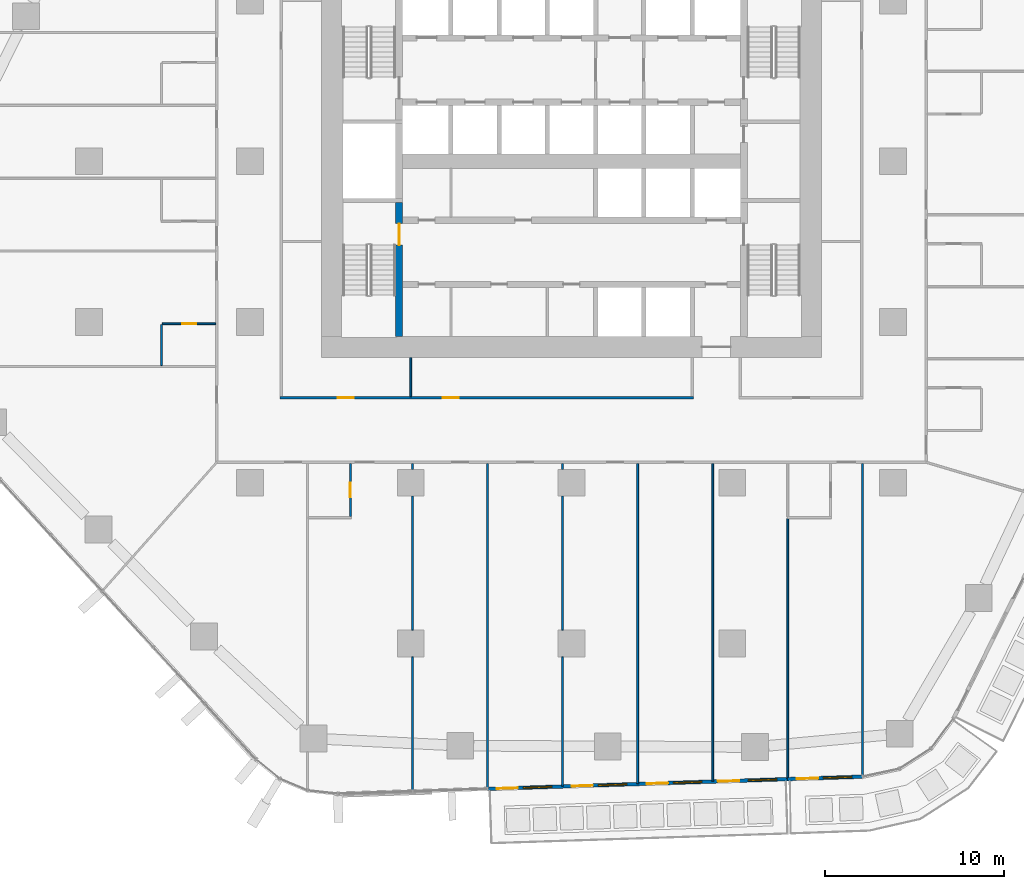
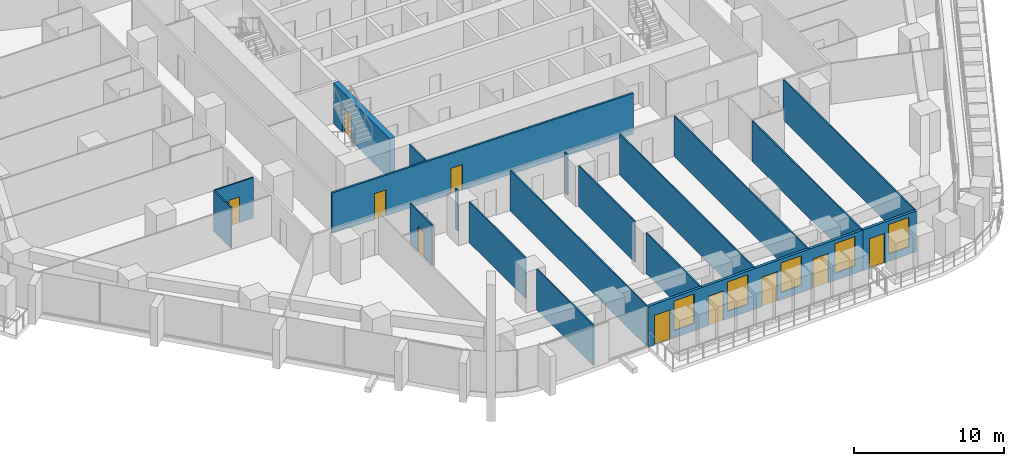
# One storey, part 13 of 27: 19 walls, 10 doors, 5 windows, 15 openings.
"""IFC4 building model written with IfcOpenShell, lengths in metres."""

from ifc_helpers import new_model, si_unit, direction, frame, frame_2d, origin, place, context, subcontext, project, spatial, rectangle, extrude, material, layer, layer_set, type_object, element, fill, save


model = new_model("IFC4")

# Units and contexts
model_context = context("Model", 3, precision=1e-05, world=origin(), true_north=direction((0.0, 1.0)))
body_context = subcontext(model_context, "Body", "Model", "MODEL_VIEW")
ifc_project = project(units=[si_unit("LENGTHUNIT", "METRE"), si_unit("AREAUNIT", "SQUARE_METRE"), si_unit("VOLUMEUNIT", "CUBIC_METRE"), si_unit("PLANEANGLEUNIT", "RADIAN"), si_unit("MASSUNIT", "GRAM", prefix="KILO")], contexts=[model_context])

# Site, building, storey
site_placement = place(None, origin())
site = spatial("IfcSite", under=ifc_project, at=site_placement, CompositionType="ELEMENT")
building_placement = place(site_placement, origin())
building = spatial("IfcBuilding", under=site, at=building_placement, Name="Dongbaek Canopy Tower", CompositionType="ELEMENT")
storey_placement = place(building_placement, frame((0.0, 0.0, 55.10009765625)))
storey = spatial("IfcBuildingStorey", under=building, at=storey_placement, Name="L09", CompositionType="ELEMENT", Elevation=55.10009765625)

# Wall, openings, doors
ifc_material_1 = material(Name="Gypsum board partition, steel stud, 2 x 15 mm fire board", Category="steel")
ifc_layer_1 = layer(ifc_material_1, 0.14990234375)
ifc_layer_set_1 = layer_set([ifc_layer_1], Name="Fire-rated partition 150 gypsum board")
wall_type_1 = type_object("IfcWallType", Name="Fire-rated partition 150 gypsum board", PredefinedType="PARTITIONING", material=ifc_layer_set_1)
wall_1_placement = place(storey_placement, frame((-16.324951171875, -13.25, 0.0), z_axis=(0.0, 0.0, 1.0), x_axis=(1.0, 0.0, 0.0)))
wall_1 = element("IfcWall", 1, at=wall_1_placement, inside=storey, type_object=wall_type_1, Name="Corridor partition", PredefinedType="PARTITIONING", context=body_context, shape_type="SweptSolid", body=[
    extrude(rectangle(XDim=23.14990234375, YDim=0.14990234375, at=frame_2d((11.574951171875, 0.0))), origin(), (0.0, 0.0, 1.0), 3.2998046875),
])
opening_1_placement = place(wall_1_placement, frame((3.25, 0.0, 0.0)))
opening_1 = element("IfcOpeningElement", 2, at=opening_1_placement, cuts=wall_1, Name="Opening L09-D036", PredefinedType="OPENING", context=body_context, shape_type="SweptSolid", body=[
    extrude(rectangle(XDim=0.89990234375, YDim=2.10009765625, at=frame_2d((0.449951171875, 1.050048828125))), frame((0.0, 0.0849609375, 0.0), z_axis=(0.0, -1.0, 0.0), x_axis=(1.0, 0.0, 0.0)), (0.0, 0.0, 1.0), 0.169921875),
])
opening_2_placement = place(wall_1_placement, frame((9.125, 0.0, 0.0)))
opening_2 = element("IfcOpeningElement", 3, at=opening_2_placement, cuts=wall_1, Name="Opening L09-D037", PredefinedType="OPENING", context=body_context, shape_type="SweptSolid", body=[
    extrude(rectangle(XDim=0.89990234375, YDim=2.10009765625, at=frame_2d((0.449951171875, 1.050048828125))), frame((0.0, 0.0849609375, 0.0), z_axis=(0.0, -1.0, 0.0), x_axis=(1.0, 0.0, 0.0)), (0.0, 0.0, 1.0), 0.169921875),
])
ifc_material_2 = material(Name="Timber veneered door leaf", Category="wood")
door_type_1 = type_object("IfcDoorType", Name="Room door 900 x 2100", OperationType="SINGLE_SWING_LEFT", PredefinedType="DOOR", material=ifc_material_2)
door_1_placement = place(opening_1_placement, origin())
door_1 = element("IfcDoor", 4, at=door_1_placement, inside=storey, type_object=door_type_1, Name="Door L09-D036", OperationType="SINGLE_SWING_LEFT", OverallHeight=2.10009765625, OverallWidth=0.89990234375, PredefinedType="DOOR", context=body_context, shape_type="SweptSolid", body=[
    extrude(rectangle(XDim=0.89990234375, YDim=2.10009765625, at=frame_2d((0.449951171875, 1.050048828125))), frame((0.0, 0.02490234375, 0.0), z_axis=(0.0, -1.0, 0.0), x_axis=(1.0, 0.0, 0.0)), (0.0, 0.0, 1.0), 0.050048828125),
])
fill(opening_1, door_1)
door_2_placement = place(opening_2_placement, origin())
door_2 = element("IfcDoor", 5, at=door_2_placement, inside=storey, type_object=door_type_1, Name="Door L09-D037", OperationType="SINGLE_SWING_RIGHT", OverallHeight=2.10009765625, OverallWidth=0.89990234375, PredefinedType="DOOR", context=body_context, shape_type="SweptSolid", body=[
    extrude(rectangle(XDim=0.89990234375, YDim=2.10009765625, at=frame_2d((0.449951171875, 1.050048828125))), frame((0.0, 0.02490234375, 0.0), z_axis=(0.0, -1.0, 0.0), x_axis=(1.0, 0.0, 0.0)), (0.0, 0.0, 1.0), 0.050048828125),
])
fill(opening_2, door_2)

# Wall, opening, door
ifc_material_3 = material(Name="Gypsum board partition, steel stud, 2 x 12.5 mm board", Category="steel")
ifc_layer_2 = layer(ifc_material_3, 0.10009765625)
ifc_layer_set_2 = layer_set([ifc_layer_2], Name="Partition 100 gypsum board")
wall_type_2 = type_object("IfcWallType", Name="Partition 100 gypsum board", PredefinedType="PARTITIONING", material=ifc_layer_set_2)
wall_2_placement = place(storey_placement, frame((-19.925048828125, -9.097900390625, 0.0), z_axis=(0.0, 0.0, 1.0), x_axis=(-1.0, 0.0, 0.0)))
wall_2 = element("IfcWall", 6, at=wall_2_placement, inside=storey, type_object=wall_type_2, Name="Partition", PredefinedType="PARTITIONING", context=body_context, shape_type="SweptSolid", body=[
    extrude(rectangle(XDim=2.974853515625, YDim=0.10009765625, at=frame_2d((1.4873046875, 0.0))), origin(), (0.0, 0.0, 1.0), 3.2998046875),
])
opening_3_placement = place(wall_2_placement, frame((1.074951171875, 0.0, 0.0)))
opening_3 = element("IfcOpeningElement", 7, at=opening_3_placement, cuts=wall_2, Name="Opening L09-D003", PredefinedType="OPENING", context=body_context, shape_type="SweptSolid", body=[
    extrude(rectangle(XDim=0.800048828125, YDim=2.10009765625, at=frame_2d((0.39990234375, 1.050048828125))), frame((0.0, 0.06005859375, 0.0), z_axis=(0.0, -1.0, 0.0), x_axis=(1.0, 0.0, 0.0)), (0.0, 0.0, 1.0), 0.1201171875),
])
ifc_material_4 = material(Name="Timber veneered door leaf", Category="wood")
door_type_2 = type_object("IfcDoorType", Name="En-suite door 800 x 2100", OperationType="SINGLE_SWING_LEFT", PredefinedType="DOOR", material=ifc_material_4)
door_3_placement = place(opening_3_placement, origin())
door_3 = element("IfcDoor", 8, at=door_3_placement, inside=storey, type_object=door_type_2, Name="Door L09-D003", OperationType="SINGLE_SWING_RIGHT", OverallHeight=2.10009765625, OverallWidth=0.800048828125, PredefinedType="DOOR", context=body_context, shape_type="SweptSolid", body=[
    extrude(rectangle(XDim=0.800048828125, YDim=2.10009765625, at=frame_2d((0.39990234375, 1.050048828125))), frame((0.0, 0.02490234375, 0.0), z_axis=(0.0, -1.0, 0.0), x_axis=(1.0, 0.0, 0.0)), (0.0, 0.0, 1.0), 0.050048828125),
])
fill(opening_3, door_3)

# Walls
wall_3_placement = place(storey_placement, frame((16.2890625, -34.429931640625, 0.0), z_axis=(0.0, 0.0, 1.0), x_axis=(0.0, 1.0, 0.0)))
element("IfcWall", 9, at=wall_3_placement, inside=storey, type_object=wall_type_2, Name="Partition", PredefinedType="PARTITIONING", context=body_context, shape_type="SweptSolid", body=[
    extrude(rectangle(XDim=17.5048828125, YDim=0.10009765625, at=frame_2d((8.75244140625, 0.0))), origin(), (0.0, 0.0, 1.0), 3.2998046875),
])
wall_4_placement = place(storey_placement, frame((12.09912109375, -34.5673828125, 0.0), z_axis=(0.0, 0.0, 1.0), x_axis=(0.0, 1.0, 0.0)))
element("IfcWall", 10, at=wall_4_placement, inside=storey, type_object=wall_type_2, Name="Partition", PredefinedType="PARTITIONING", context=body_context, shape_type="SweptSolid", body=[
    extrude(rectangle(XDim=14.5673828125, YDim=0.10009765625, at=frame_2d((7.28369140625, 0.0))), origin(), (0.0, 0.0, 1.0), 3.2998046875),
])
wall_5_placement = place(storey_placement, frame((7.89990234375, -34.704345703125, 0.0), z_axis=(0.0, 0.0, 1.0), x_axis=(0.0, 1.0, 0.0)))
element("IfcWall", 11, at=wall_5_placement, inside=storey, type_object=wall_type_2, Name="Partition", PredefinedType="PARTITIONING", context=body_context, shape_type="SweptSolid", body=[
    extrude(rectangle(XDim=17.779296875, YDim=0.10009765625, at=frame_2d((8.8896484375, 0.0))), origin(), (0.0, 0.0, 1.0), 3.2998046875),
])
wall_6_placement = place(storey_placement, frame((3.700927734375, -34.841552734375, 0.0), z_axis=(0.0, 0.0, 1.0), x_axis=(0.0, 1.0, 0.0)))
element("IfcWall", 12, at=wall_6_placement, inside=storey, type_object=wall_type_2, Name="Partition", PredefinedType="PARTITIONING", context=body_context, shape_type="SweptSolid", body=[
    extrude(rectangle(XDim=17.91650390625, YDim=0.10009765625, at=frame_2d((8.958251953125, 0.0))), origin(), (0.0, 0.0, 1.0), 3.2998046875),
])
wall_7_placement = place(storey_placement, frame((-0.498046875, -34.978759765625, 0.0), z_axis=(0.0, 0.0, 1.0), x_axis=(0.0, 1.0, 0.0)))
element("IfcWall", 13, at=wall_7_placement, inside=storey, type_object=wall_type_2, Name="Partition", PredefinedType="PARTITIONING", context=body_context, shape_type="SweptSolid", body=[
    extrude(rectangle(XDim=7.228759765625, YDim=0.10009765625, at=frame_2d((3.6142578125, 0.0))), origin(), (0.0, 0.0, 1.0), 3.2998046875),
])
wall_8_placement = place(storey_placement, frame((-0.498046875, -26.25, 0.0), z_axis=(0.0, 0.0, 1.0), x_axis=(0.0, 1.0, 0.0)))
element("IfcWall", 14, at=wall_8_placement, inside=storey, type_object=wall_type_2, Name="Partition", PredefinedType="PARTITIONING", context=body_context, shape_type="SweptSolid", body=[
    extrude(rectangle(XDim=7.5, YDim=0.10009765625, at=frame_2d((3.75, 0.0))), origin(), (0.0, 0.0, 1.0), 3.2998046875),
])
wall_9_placement = place(storey_placement, frame((-0.498046875, -17.25, 0.0), z_axis=(0.0, 0.0, 1.0), x_axis=(0.0, 1.0, 0.0)))
element("IfcWall", 15, at=wall_9_placement, inside=storey, type_object=wall_type_2, Name="Partition", PredefinedType="PARTITIONING", context=body_context, shape_type="SweptSolid", body=[
    extrude(rectangle(XDim=0.324951171875, YDim=0.10009765625, at=frame_2d((0.16259765625, 0.0))), origin(), (0.0, 0.0, 1.0), 3.2998046875),
])
wall_10_placement = place(storey_placement, frame((-4.696044921875, -35.11572265625, 0.0), z_axis=(0.0, 0.0, 1.0), x_axis=(0.0, 1.0, 0.0)))
element("IfcWall", 16, at=wall_10_placement, inside=storey, type_object=wall_type_2, Name="Partition", PredefinedType="PARTITIONING", context=body_context, shape_type="SweptSolid", body=[
    extrude(rectangle(XDim=18.190673828125, YDim=0.10009765625, at=frame_2d((9.09521484375, 0.0))), origin(), (0.0, 0.0, 1.0), 3.2998046875),
])
wall_11_placement = place(storey_placement, frame((-8.89501953125, -35.2529296875, 0.0), z_axis=(0.0, 0.0, 1.0), x_axis=(0.0, 1.0, 0.0)))
element("IfcWall", 17, at=wall_11_placement, inside=storey, type_object=wall_type_2, Name="Partition", PredefinedType="PARTITIONING", context=body_context, shape_type="SweptSolid", body=[
    extrude(rectangle(XDim=7.5029296875, YDim=0.10009765625, at=frame_2d((3.75146484375, 0.0))), origin(), (0.0, 0.0, 1.0), 3.2998046875),
])
wall_12_placement = place(storey_placement, frame((-8.89501953125, -26.25, 0.0), z_axis=(0.0, 0.0, 1.0), x_axis=(0.0, 1.0, 0.0)))
element("IfcWall", 18, at=wall_12_placement, inside=storey, type_object=wall_type_2, Name="Partition", PredefinedType="PARTITIONING", context=body_context, shape_type="SweptSolid", body=[
    extrude(rectangle(XDim=7.5, YDim=0.10009765625, at=frame_2d((3.75, 0.0))), origin(), (0.0, 0.0, 1.0), 3.2998046875),
])
wall_13_placement = place(storey_placement, frame((-8.89501953125, -17.25, 0.0), z_axis=(0.0, 0.0, 1.0), x_axis=(0.0, 1.0, 0.0)))
element("IfcWall", 19, at=wall_13_placement, inside=storey, type_object=wall_type_2, Name="Partition", PredefinedType="PARTITIONING", context=body_context, shape_type="SweptSolid", body=[
    extrude(rectangle(XDim=0.324951171875, YDim=0.10009765625, at=frame_2d((0.16259765625, 0.0))), origin(), (0.0, 0.0, 1.0), 3.2998046875),
])
wall_14_placement = place(storey_placement, frame((-9.0, -13.175048828125, 0.0), z_axis=(0.0, 0.0, 1.0), x_axis=(0.0, 1.0, 0.0)))
element("IfcWall", 20, at=wall_14_placement, inside=storey, type_object=wall_type_2, Name="Partition", PredefinedType="PARTITIONING", context=body_context, shape_type="SweptSolid", body=[
    extrude(rectangle(XDim=2.175048828125, YDim=0.10009765625, at=frame_2d((1.08740234375, 0.0))), origin(), (0.0, 0.0, 1.0), 3.2998046875),
])

# Wall, opening, door
wall_15_placement = place(storey_placement, frame((-12.3740234375, -19.89990234375, 0.0), z_axis=(0.0, 0.0, 1.0), x_axis=(0.0, 1.0, 0.0)))
wall_15 = element("IfcWall", 21, at=wall_15_placement, inside=storey, type_object=wall_type_2, Name="Partition", PredefinedType="PARTITIONING", context=body_context, shape_type="SweptSolid", body=[
    extrude(rectangle(XDim=2.974853515625, YDim=0.10009765625, at=frame_2d((1.4873046875, 0.0))), origin(), (0.0, 0.0, 1.0), 3.2998046875),
])
opening_4_placement = place(wall_15_placement, frame((1.10009765625, 0.0, 0.0)))
opening_4 = element("IfcOpeningElement", 22, at=opening_4_placement, cuts=wall_15, Name="Opening L09-D007", PredefinedType="OPENING", context=body_context, shape_type="SweptSolid", body=[
    extrude(rectangle(XDim=0.800048828125, YDim=2.10009765625, at=frame_2d((0.39990234375, 1.050048828125))), frame((0.0, 0.06005859375, 0.0), z_axis=(0.0, -1.0, 0.0), x_axis=(1.0, 0.0, 0.0)), (0.0, 0.0, 1.0), 0.1201171875),
])
door_4_placement = place(opening_4_placement, origin())
door_4 = element("IfcDoor", 23, at=door_4_placement, inside=storey, type_object=door_type_2, Name="Door L09-D007", OperationType="SINGLE_SWING_LEFT", OverallHeight=2.10009765625, OverallWidth=0.800048828125, PredefinedType="DOOR", context=body_context, shape_type="SweptSolid", body=[
    extrude(rectangle(XDim=0.800048828125, YDim=2.10009765625, at=frame_2d((0.39990234375, 1.050048828125))), frame((0.0, 0.02490234375, 0.0), z_axis=(0.0, -1.0, 0.0), x_axis=(1.0, 0.0, 0.0)), (0.0, 0.0, 1.0), 0.050048828125),
])
fill(opening_4, door_4)

# Wall
wall_16_placement = place(storey_placement, frame((-22.949951171875, -11.447509765625, 0.0), z_axis=(0.0, 0.0, 1.0), x_axis=(0.0, 1.0, 0.0)))
element("IfcWall", 24, at=wall_16_placement, inside=storey, type_object=wall_type_2, Name="Partition", PredefinedType="PARTITIONING", context=body_context, shape_type="SweptSolid", body=[
    extrude(rectangle(XDim=2.2998046875, YDim=0.10009765625, at=frame_2d((1.14990234375, 0.0))), origin(), (0.0, 0.0, 1.0), 3.2998046875),
])

# Wall, opening, door
ifc_material_5 = material(Name="Concrete C60/75", Category="concrete")
ifc_layer_3 = layer(ifc_material_5, 0.39990234375)
ifc_layer_set_3 = layer_set([ifc_layer_3], Name="Stair wall 400 Concrete C60/75")
wall_type_3 = type_object("IfcWallType", Name="Stair wall 400 Concrete C60/75", PredefinedType="SHEAR", material=ifc_layer_set_3)
wall_17_placement = place(storey_placement, frame((-9.64990234375, -9.800048828125, 0.0), z_axis=(0.0, 0.0, 1.0), x_axis=(0.0, 1.0, 0.0)))
wall_17 = element("IfcWall", 25, at=wall_17_placement, inside=storey, type_object=wall_type_3, Name="Stair wall", PredefinedType="SHEAR", context=body_context, shape_type="SweptSolid", body=[
    extrude(rectangle(XDim=7.5, YDim=0.39990234375, at=frame_2d((3.75, 0.0))), origin(), (0.0, 0.0, 1.0), 3.2998046875),
])
opening_5_placement = place(wall_17_placement, frame((5.10009765625, 0.0, 0.0)))
opening_5 = element("IfcOpeningElement", 26, at=opening_5_placement, cuts=wall_17, Name="Opening L09-D071", PredefinedType="OPENING", context=body_context, shape_type="SweptSolid", body=[
    extrude(rectangle(XDim=1.199951171875, YDim=2.10009765625, at=frame_2d((0.60009765625, 1.050048828125))), frame((0.0, 0.2099609375, 0.0), z_axis=(0.0, -1.0, 0.0), x_axis=(1.0, 0.0, 0.0)), (0.0, 0.0, 1.0), 0.419921875),
])
ifc_material_6 = material(Name="Steel", Category="steel")
door_type_3 = type_object("IfcDoorType", Name="Stair door 1200 x 2100", OperationType="SINGLE_SWING_LEFT", PredefinedType="DOOR", material=ifc_material_6)
door_5_placement = place(opening_5_placement, origin())
door_5 = element("IfcDoor", 27, at=door_5_placement, inside=storey, type_object=door_type_3, Name="Stair D door", OperationType="SINGLE_SWING_LEFT", OverallHeight=2.10009765625, OverallWidth=1.199951171875, PredefinedType="DOOR", context=body_context, shape_type="SweptSolid", body=[
    extrude(rectangle(XDim=1.199951171875, YDim=2.10009765625, at=frame_2d((0.60009765625, 1.050048828125))), frame((0.0, 0.02490234375, 0.0), z_axis=(0.0, -1.0, 0.0), x_axis=(1.0, 0.0, 0.0)), (0.0, 0.0, 1.0), 0.050048828125),
])
fill(opening_5, door_5)

# Wall, openings, doors, windows
ifc_material_7 = material(Name="Aluminium window wall", Category="aluminium")
ifc_layer_4 = layer(ifc_material_7, 0.199951171875)
ifc_layer_set_4 = layer_set([ifc_layer_4], Name="Window wall 200")
wall_type_4 = type_object("IfcWallType", Name="Window wall 200", PredefinedType="SOLIDWALL", material=ifc_layer_set_4)
wall_18_placement = place(storey_placement, frame((-4.696533203125, -35.1357421875, 0.0), z_axis=(0.0, 0.0, 1.0), x_axis=(0.999466983916, 0.032645796998, 0.0)))
wall_18 = element("IfcWall", 28, at=wall_18_placement, inside=storey, type_object=wall_type_4, Name="Window wall L09 4", PredefinedType="SOLIDWALL", context=body_context, shape_type="SweptSolid", body=[
    extrude(rectangle(XDim=16.80419921875, YDim=0.199951171875, at=frame_2d((8.402099609375, 0.0))), origin(), (0.0, 0.0, 1.0), 3.2998046875),
])
opening_6_placement = place(wall_18_placement, frame((2.0, 0.0, 0.60009765625)))
opening_6 = element("IfcOpeningElement", 29, at=opening_6_placement, cuts=wall_18, Name="Opening W1", PredefinedType="OPENING", context=body_context, shape_type="SweptSolid", body=[
    extrude(rectangle(XDim=1.60009765625, YDim=2.39990234375, at=frame_2d((0.800048828125, 1.199951171875))), frame((0.0, 0.10986328125, 0.0), z_axis=(0.0, -1.0, 0.0), x_axis=(1.0, 0.0, 0.0)), (0.0, 0.0, 1.0), 0.219970703125),
])
opening_7_placement = place(wall_18_placement, frame((0.5, 0.0, 0.0)))
opening_7 = element("IfcOpeningElement", 30, at=opening_7_placement, cuts=wall_18, Name="Opening L09-B18", PredefinedType="OPENING", context=body_context, shape_type="SweptSolid", body=[
    extrude(rectangle(XDim=1.199951171875, YDim=2.39990234375, at=frame_2d((0.60009765625, 1.199951171875))), frame((0.0, 0.10986328125, 0.0), z_axis=(0.0, -1.0, 0.0), x_axis=(1.0, 0.0, 0.0)), (0.0, 0.0, 1.0), 0.219970703125),
])
opening_8_placement = place(wall_18_placement, frame((6.200927734375, 0.0, 0.60009765625)))
opening_8 = element("IfcOpeningElement", 31, at=opening_8_placement, cuts=wall_18, Name="Opening W1", PredefinedType="OPENING", context=body_context, shape_type="SweptSolid", body=[
    extrude(rectangle(XDim=1.60009765625, YDim=2.39990234375, at=frame_2d((0.800048828125, 1.199951171875))), frame((0.0, 0.10986328125, 0.0), z_axis=(0.0, -1.0, 0.0), x_axis=(1.0, 0.0, 0.0)), (0.0, 0.0, 1.0), 0.219970703125),
])
opening_9_placement = place(wall_18_placement, frame((4.700927734375, 0.0, 0.0)))
opening_9 = element("IfcOpeningElement", 32, at=opening_9_placement, cuts=wall_18, Name="Opening L09-B19", PredefinedType="OPENING", context=body_context, shape_type="SweptSolid", body=[
    extrude(rectangle(XDim=1.199951171875, YDim=2.39990234375, at=frame_2d((0.60009765625, 1.199951171875))), frame((0.0, 0.10986328125, 0.0), z_axis=(0.0, -1.0, 0.0), x_axis=(1.0, 0.0, 0.0)), (0.0, 0.0, 1.0), 0.219970703125),
])
opening_10_placement = place(wall_18_placement, frame((10.402099609375, 0.0, 0.60009765625)))
opening_10 = element("IfcOpeningElement", 33, at=opening_10_placement, cuts=wall_18, Name="Opening W1", PredefinedType="OPENING", context=body_context, shape_type="SweptSolid", body=[
    extrude(rectangle(XDim=1.60009765625, YDim=2.39990234375, at=frame_2d((0.800048828125, 1.199951171875))), frame((0.0, 0.10986328125, 0.0), z_axis=(0.0, -1.0, 0.0), x_axis=(1.0, 0.0, 0.0)), (0.0, 0.0, 1.0), 0.219970703125),
])
opening_11_placement = place(wall_18_placement, frame((8.902099609375, 0.0, 0.0)))
opening_11 = element("IfcOpeningElement", 34, at=opening_11_placement, cuts=wall_18, Name="Opening L09-B20", PredefinedType="OPENING", context=body_context, shape_type="SweptSolid", body=[
    extrude(rectangle(XDim=1.199951171875, YDim=2.39990234375, at=frame_2d((0.60009765625, 1.199951171875))), frame((0.0, 0.10986328125, 0.0), z_axis=(0.0, -1.0, 0.0), x_axis=(1.0, 0.0, 0.0)), (0.0, 0.0, 1.0), 0.219970703125),
])
opening_12_placement = place(wall_18_placement, frame((14.60302734375, 0.0, 0.60009765625)))
opening_12 = element("IfcOpeningElement", 35, at=opening_12_placement, cuts=wall_18, Name="Opening W1", PredefinedType="OPENING", context=body_context, shape_type="SweptSolid", body=[
    extrude(rectangle(XDim=1.60009765625, YDim=2.39990234375, at=frame_2d((0.800048828125, 1.199951171875))), frame((0.0, 0.10986328125, 0.0), z_axis=(0.0, -1.0, 0.0), x_axis=(1.0, 0.0, 0.0)), (0.0, 0.0, 1.0), 0.219970703125),
])
opening_13_placement = place(wall_18_placement, frame((12.903076171875, 0.0, 0.0)))
opening_13 = element("IfcOpeningElement", 36, at=opening_13_placement, cuts=wall_18, Name="Opening L09-B21", PredefinedType="OPENING", context=body_context, shape_type="SweptSolid", body=[
    extrude(rectangle(XDim=1.199951171875, YDim=2.39990234375, at=frame_2d((0.60009765625, 1.199951171875))), frame((0.0, 0.10986328125, 0.0), z_axis=(0.0, -1.0, 0.0), x_axis=(1.0, 0.0, 0.0)), (0.0, 0.0, 1.0), 0.219970703125),
])
ifc_material_8 = material(Name="Clear glazing in aluminium frame", Category="aluminium")
door_type_4 = type_object("IfcDoorType", Name="Balcony door BD1 1200 x 2400", OperationType="SLIDING_TO_LEFT", PredefinedType="DOOR", material=ifc_material_8)
door_6_placement = place(opening_7_placement, origin())
door_6 = element("IfcDoor", 37, at=door_6_placement, inside=storey, type_object=door_type_4, Name="Balcony door L09-B18", OperationType="SLIDING_TO_LEFT", OverallHeight=2.39990234375, OverallWidth=1.199951171875, PredefinedType="DOOR", context=body_context, shape_type="SweptSolid", body=[
    extrude(rectangle(XDim=1.199951171875, YDim=2.39990234375, at=frame_2d((0.60009765625, 1.199951171875))), frame((0.0, 0.02490234375, 0.0), z_axis=(0.0, -1.0, 0.0), x_axis=(1.0, 0.0, 0.0)), (0.0, 0.0, 1.0), 0.050048828125),
])
fill(opening_7, door_6)
door_7_placement = place(opening_9_placement, origin())
door_7 = element("IfcDoor", 38, at=door_7_placement, inside=storey, type_object=door_type_4, Name="Balcony door L09-B19", OperationType="SLIDING_TO_LEFT", OverallHeight=2.39990234375, OverallWidth=1.199951171875, PredefinedType="DOOR", context=body_context, shape_type="SweptSolid", body=[
    extrude(rectangle(XDim=1.199951171875, YDim=2.39990234375, at=frame_2d((0.60009765625, 1.199951171875))), frame((0.0, 0.02490234375, 0.0), z_axis=(0.0, -1.0, 0.0), x_axis=(1.0, 0.0, 0.0)), (0.0, 0.0, 1.0), 0.050048828125),
])
fill(opening_9, door_7)
door_8_placement = place(opening_11_placement, origin())
door_8 = element("IfcDoor", 39, at=door_8_placement, inside=storey, type_object=door_type_4, Name="Balcony door L09-B20", OperationType="SLIDING_TO_LEFT", OverallHeight=2.39990234375, OverallWidth=1.199951171875, PredefinedType="DOOR", context=body_context, shape_type="SweptSolid", body=[
    extrude(rectangle(XDim=1.199951171875, YDim=2.39990234375, at=frame_2d((0.60009765625, 1.199951171875))), frame((0.0, 0.02490234375, 0.0), z_axis=(0.0, -1.0, 0.0), x_axis=(1.0, 0.0, 0.0)), (0.0, 0.0, 1.0), 0.050048828125),
])
fill(opening_11, door_8)
door_9_placement = place(opening_13_placement, origin())
door_9 = element("IfcDoor", 40, at=door_9_placement, inside=storey, type_object=door_type_4, Name="Balcony door L09-B21", OperationType="SLIDING_TO_LEFT", OverallHeight=2.39990234375, OverallWidth=1.199951171875, PredefinedType="DOOR", context=body_context, shape_type="SweptSolid", body=[
    extrude(rectangle(XDim=1.199951171875, YDim=2.39990234375, at=frame_2d((0.60009765625, 1.199951171875))), frame((0.0, 0.02490234375, 0.0), z_axis=(0.0, -1.0, 0.0), x_axis=(1.0, 0.0, 0.0)), (0.0, 0.0, 1.0), 0.050048828125),
])
fill(opening_13, door_9)
ifc_material_9 = material(Name="Clear glazing in aluminium frame", Category="aluminium")
window_type = type_object("IfcWindowType", Name="Window W1 1600 x 2400", PartitioningType="SINGLE_PANEL", PredefinedType="WINDOW", material=ifc_material_9)
window_1_placement = place(opening_6_placement, origin())
window_1 = element("IfcWindow", 41, at=window_1_placement, inside=storey, type_object=window_type, Name="Window L09 4.1", OverallHeight=2.39990234375, OverallWidth=1.60009765625, PartitioningType="SINGLE_PANEL", PredefinedType="WINDOW", context=body_context, shape_type="SweptSolid", body=[
    extrude(rectangle(XDim=1.60009765625, YDim=2.39990234375, at=frame_2d((0.800048828125, 1.199951171875))), frame((0.0, 0.030029296875, 0.0), z_axis=(0.0, -1.0, 0.0), x_axis=(1.0, 0.0, 0.0)), (0.0, 0.0, 1.0), 0.06005859375),
])
fill(opening_6, window_1)
window_2_placement = place(opening_8_placement, origin())
window_2 = element("IfcWindow", 42, at=window_2_placement, inside=storey, type_object=window_type, Name="Window L09 4.2", OverallHeight=2.39990234375, OverallWidth=1.60009765625, PartitioningType="SINGLE_PANEL", PredefinedType="WINDOW", context=body_context, shape_type="SweptSolid", body=[
    extrude(rectangle(XDim=1.60009765625, YDim=2.39990234375, at=frame_2d((0.800048828125, 1.199951171875))), frame((0.0, 0.030029296875, 0.0), z_axis=(0.0, -1.0, 0.0), x_axis=(1.0, 0.0, 0.0)), (0.0, 0.0, 1.0), 0.06005859375),
])
fill(opening_8, window_2)
window_3_placement = place(opening_10_placement, origin())
window_3 = element("IfcWindow", 43, at=window_3_placement, inside=storey, type_object=window_type, Name="Window L09 4.3", OverallHeight=2.39990234375, OverallWidth=1.60009765625, PartitioningType="SINGLE_PANEL", PredefinedType="WINDOW", context=body_context, shape_type="SweptSolid", body=[
    extrude(rectangle(XDim=1.60009765625, YDim=2.39990234375, at=frame_2d((0.800048828125, 1.199951171875))), frame((0.0, 0.030029296875, 0.0), z_axis=(0.0, -1.0, 0.0), x_axis=(1.0, 0.0, 0.0)), (0.0, 0.0, 1.0), 0.06005859375),
])
fill(opening_10, window_3)
window_4_placement = place(opening_12_placement, origin())
window_4 = element("IfcWindow", 44, at=window_4_placement, inside=storey, type_object=window_type, Name="Window L09 4.4", OverallHeight=2.39990234375, OverallWidth=1.60009765625, PartitioningType="SINGLE_PANEL", PredefinedType="WINDOW", context=body_context, shape_type="SweptSolid", body=[
    extrude(rectangle(XDim=1.60009765625, YDim=2.39990234375, at=frame_2d((0.800048828125, 1.199951171875))), frame((0.0, 0.030029296875, 0.0), z_axis=(0.0, -1.0, 0.0), x_axis=(1.0, 0.0, 0.0)), (0.0, 0.0, 1.0), 0.06005859375),
])
fill(opening_12, window_4)

# Wall, openings, door, window
wall_19_placement = place(storey_placement, frame((12.0986328125, -34.587158203125, 0.0), z_axis=(0.0, 0.0, 1.0), x_axis=(0.999468058802, 0.032612872214, 0.0)))
wall_19 = element("IfcWall", 45, at=wall_19_placement, inside=storey, type_object=wall_type_4, Name="Window wall L09 8", PredefinedType="SOLIDWALL", context=body_context, shape_type="SweptSolid", body=[
    extrude(rectangle(XDim=4.192138671875, YDim=0.199951171875, at=frame_2d((2.09619140625, 0.0))), origin(), (0.0, 0.0, 1.0), 3.2998046875),
])
opening_14_placement = place(wall_19_placement, frame((2.0, 0.0, 0.60009765625)))
opening_14 = element("IfcOpeningElement", 46, at=opening_14_placement, cuts=wall_19, Name="Opening W1", PredefinedType="OPENING", context=body_context, shape_type="SweptSolid", body=[
    extrude(rectangle(XDim=1.60009765625, YDim=2.39990234375, at=frame_2d((0.800048828125, 1.199951171875))), frame((0.0, 0.10986328125, 0.0), z_axis=(0.0, -1.0, 0.0), x_axis=(1.0, 0.0, 0.0)), (0.0, 0.0, 1.0), 0.219970703125),
])
opening_15_placement = place(wall_19_placement, frame((0.5, 0.0, 0.0)))
opening_15 = element("IfcOpeningElement", 47, at=opening_15_placement, cuts=wall_19, Name="Opening L09-B22", PredefinedType="OPENING", context=body_context, shape_type="SweptSolid", body=[
    extrude(rectangle(XDim=1.199951171875, YDim=2.39990234375, at=frame_2d((0.60009765625, 1.199951171875))), frame((0.0, 0.10986328125, 0.0), z_axis=(0.0, -1.0, 0.0), x_axis=(1.0, 0.0, 0.0)), (0.0, 0.0, 1.0), 0.219970703125),
])
door_10_placement = place(opening_15_placement, origin())
door_10 = element("IfcDoor", 48, at=door_10_placement, inside=storey, type_object=door_type_4, Name="Balcony door L09-B22", OperationType="SLIDING_TO_LEFT", OverallHeight=2.39990234375, OverallWidth=1.199951171875, PredefinedType="DOOR", context=body_context, shape_type="SweptSolid", body=[
    extrude(rectangle(XDim=1.199951171875, YDim=2.39990234375, at=frame_2d((0.60009765625, 1.199951171875))), frame((0.0, 0.02490234375, 0.0), z_axis=(0.0, -1.0, 0.0), x_axis=(1.0, 0.0, 0.0)), (0.0, 0.0, 1.0), 0.050048828125),
])
fill(opening_15, door_10)
window_5_placement = place(opening_14_placement, origin())
window_5 = element("IfcWindow", 49, at=window_5_placement, inside=storey, type_object=window_type, Name="Window L09 8.1", OverallHeight=2.39990234375, OverallWidth=1.60009765625, PartitioningType="SINGLE_PANEL", PredefinedType="WINDOW", context=body_context, shape_type="SweptSolid", body=[
    extrude(rectangle(XDim=1.60009765625, YDim=2.39990234375, at=frame_2d((0.800048828125, 1.199951171875))), frame((0.0, 0.030029296875, 0.0), z_axis=(0.0, -1.0, 0.0), x_axis=(1.0, 0.0, 0.0)), (0.0, 0.0, 1.0), 0.06005859375),
])
fill(opening_14, window_5)

save(model, "model.ifc")
